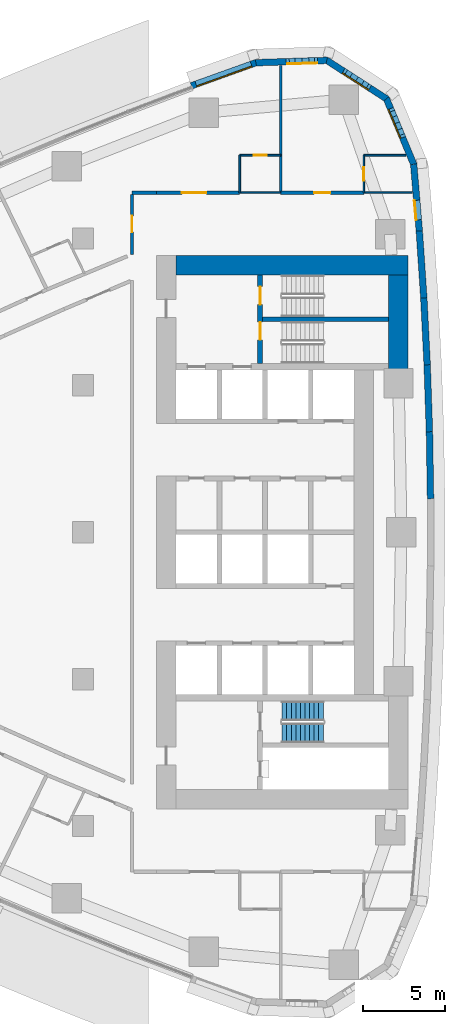
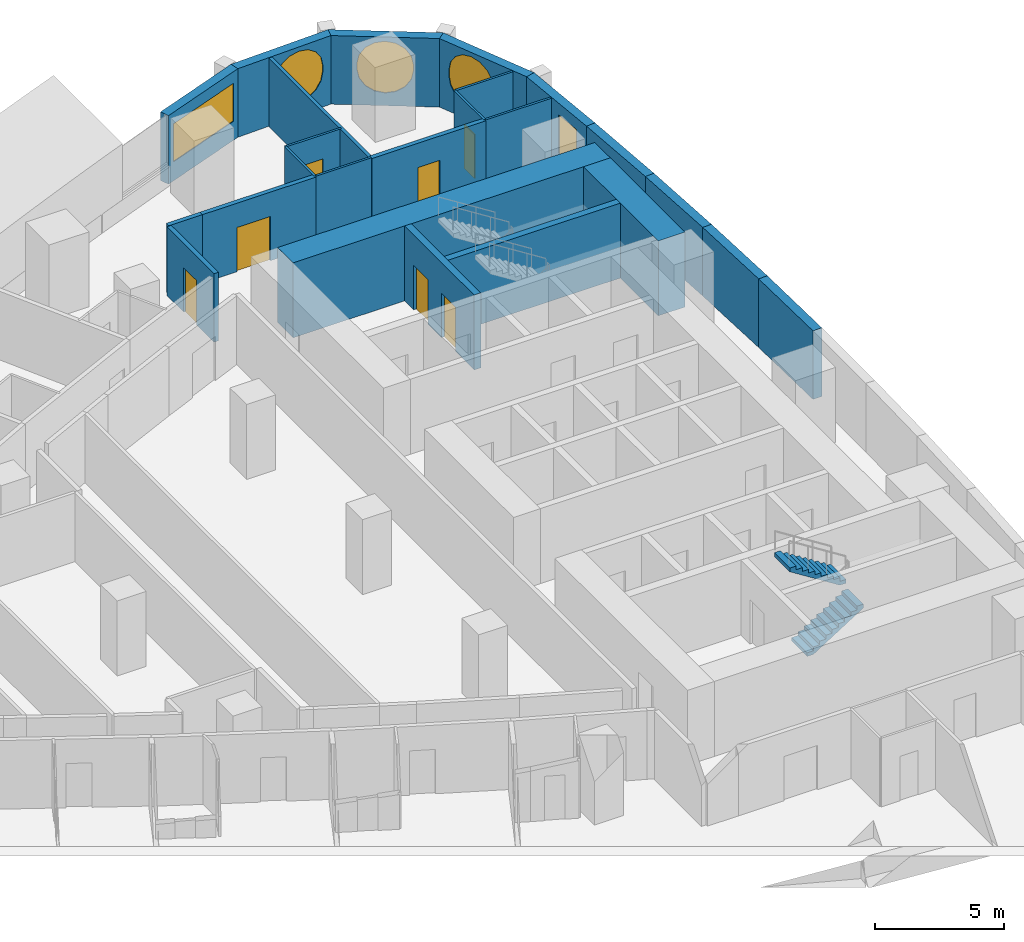
# One storey, part 13 of 19: 24 walls, 7 doors, 5 windows, 2 stair flights, 12 openings, 1 element without a shape of its own.
"""IFC4 building model written with IfcOpenShell, lengths in metres."""

from ifc_helpers import new_model, si_unit, direction, frame, frame_2d, origin, place, context, subcontext, project, spatial, polyline, rectangle, outline, extrude, material, layer, layer_set, type_object, element, fill, aggregate, save


model = new_model("IFC4")

# Units and contexts
model_context = context("Model", 3, precision=1e-05, world=origin(), true_north=direction((0.0, 1.0)))
body_context = subcontext(model_context, "Body", "Model", "MODEL_VIEW")
ifc_project = project(units=[si_unit("LENGTHUNIT", "METRE"), si_unit("AREAUNIT", "SQUARE_METRE"), si_unit("VOLUMEUNIT", "CUBIC_METRE"), si_unit("PLANEANGLEUNIT", "RADIAN"), si_unit("MASSUNIT", "GRAM", prefix="KILO")], contexts=[model_context])

# Site, building, storey
site_placement = place(None, origin())
site = spatial("IfcSite", under=ifc_project, at=site_placement, CompositionType="ELEMENT")
building_placement = place(site_placement, origin())
building = spatial("IfcBuilding", under=site, at=building_placement, Name="Ostrand Prow Hotel Tower", CompositionType="ELEMENT")
storey_placement = place(building_placement, frame((0.0, 0.0, 68.0)))
storey = spatial("IfcBuildingStorey", under=building, at=storey_placement, Name="L15", CompositionType="ELEMENT", Elevation=68.0)

# Walls
ifc_material_1 = material(Name="Concrete C80/95", Category="concrete")
ifc_layer_1 = layer(ifc_material_1, 1.199951171875)
ifc_layer_set_1 = layer_set([ifc_layer_1], Name="Concrete C80/95")
wall_type_1 = type_object("IfcWallType", Name="Core wall 1200 C80/95", PredefinedType="SHEAR", material=ifc_layer_set_1)
wall_1_placement = place(storey_placement, frame((50.699951171875, 16.35009765625, 0.0), z_axis=(0.0, 0.0, 1.0), x_axis=(1.0, 0.0, 0.0)))
element("IfcWall", 1, at=wall_1_placement, inside=storey, type_object=wall_type_1, Name="Core wall CW-N", PredefinedType="SHEAR", context=body_context, shape_type="SweptSolid", body=[
    extrude(rectangle(XDim=14.219970703125, YDim=1.199951171875, at=frame_2d((7.10986328125, 0.0))), origin(), (0.0, 0.0, 1.0), 3.550048828125),
])
wall_2_placement = place(storey_placement, frame((64.320068359375, 9.949951171875, 0.0), z_axis=(0.0, 0.0, 1.0), x_axis=(0.0, 1.0, 0.0)))
element("IfcWall", 2, at=wall_2_placement, inside=storey, type_object=wall_type_1, Name="Core wall CW-E-N", PredefinedType="SHEAR", context=body_context, shape_type="SweptSolid", body=[
    extrude(rectangle(XDim=5.800048828125, YDim=1.199951171875, at=frame_2d((2.89990234375, 0.0))), origin(), (0.0, 0.0, 1.0), 3.550048828125),
])

# Wall, openings, doors
ifc_material_2 = material(Name="Concrete C80/95", Category="concrete")
ifc_layer_2 = layer(ifc_material_2, 0.300048828125)
ifc_layer_set_2 = layer_set([ifc_layer_2], Name="Concrete C80/95")
wall_type_2 = type_object("IfcWallType", Name="Core wall 300 C80/95", PredefinedType="SHEAR", material=ifc_layer_set_2)
wall_3_placement = place(storey_placement, frame((55.85009765625, 10.35009765625, 0.0), z_axis=(0.0, 0.0, 1.0), x_axis=(0.0, 1.0, 0.0)))
wall_3 = element("IfcWall", 3, at=wall_3_placement, inside=storey, type_object=wall_type_2, Name="Core wall PW-VN", PredefinedType="SHEAR", context=body_context, shape_type="SweptSolid", body=[
    extrude(rectangle(XDim=5.39990234375, YDim=0.300048828125, at=frame_2d((2.699951171875, 0.0))), origin(), (0.0, 0.0, 1.0), 3.550048828125),
])
opening_1_placement = place(wall_3_placement, frame((1.429931640625, 0.0, 0.0)))
opening_1 = element("IfcOpeningElement", 4, at=opening_1_placement, cuts=wall_3, Name="Opening FD1", PredefinedType="OPENING", context=body_context, shape_type="SweptSolid", body=[
    extrude(rectangle(XDim=1.10009765625, YDim=2.10009765625, at=frame_2d((0.550048828125, 1.050048828125))), frame((0.0, 0.159912109375, 0.0), z_axis=(0.0, -1.0, 0.0), x_axis=(1.0, 0.0, 0.0)), (0.0, 0.0, 1.0), 0.320068359375),
])
opening_2_placement = place(wall_3_placement, frame((3.60009765625, 0.0, 0.0)))
opening_2 = element("IfcOpeningElement", 5, at=opening_2_placement, cuts=wall_3, Name="Opening FD1", PredefinedType="OPENING", context=body_context, shape_type="SweptSolid", body=[
    extrude(rectangle(XDim=1.10009765625, YDim=2.10009765625, at=frame_2d((0.550048828125, 1.050048828125))), frame((0.0, 0.159912109375, 0.0), z_axis=(0.0, -1.0, 0.0), x_axis=(1.0, 0.0, 0.0)), (0.0, 0.0, 1.0), 0.320068359375),
])
ifc_material_3 = material(Name="Steel fire door", Category="steel")
door_type_1 = type_object("IfcDoorType", Name="Fire door 1100 EI120", OperationType="SINGLE_SWING_RIGHT", PredefinedType="DOOR", material=ifc_material_3)
door_1_placement = place(opening_1_placement, origin())
door_1 = element("IfcDoor", 6, at=door_1_placement, inside=storey, type_object=door_type_1, Name="FIRE DOOR", OperationType="SINGLE_SWING_RIGHT", OverallHeight=2.10009765625, OverallWidth=1.10009765625, PredefinedType="DOOR", context=body_context, shape_type="SweptSolid", body=[
    extrude(rectangle(XDim=1.10009765625, YDim=2.10009765625, at=frame_2d((0.550048828125, 1.050048828125))), frame((0.0, 0.02490234375, 0.0), z_axis=(0.0, -1.0, 0.0), x_axis=(1.0, 0.0, 0.0)), (0.0, 0.0, 1.0), 0.050048828125),
])
fill(opening_1, door_1)
door_2_placement = place(opening_2_placement, origin())
door_2 = element("IfcDoor", 7, at=door_2_placement, inside=storey, type_object=door_type_1, Name="FIRE DOOR", OperationType="SINGLE_SWING_RIGHT", OverallHeight=2.10009765625, OverallWidth=1.10009765625, PredefinedType="DOOR", context=body_context, shape_type="SweptSolid", body=[
    extrude(rectangle(XDim=1.10009765625, YDim=2.10009765625, at=frame_2d((0.550048828125, 1.050048828125))), frame((0.0, 0.02490234375, 0.0), z_axis=(0.0, -1.0, 0.0), x_axis=(1.0, 0.0, 0.0)), (0.0, 0.0, 1.0), 0.050048828125),
])
fill(opening_2, door_2)

# Walls
wall_4_placement = place(storey_placement, frame((56.0, 13.050048828125, 0.0), z_axis=(0.0, 0.0, 1.0), x_axis=(1.0, 0.0, 0.0)))
element("IfcWall", 8, at=wall_4_placement, inside=storey, type_object=wall_type_2, Name="Core wall PW-ST13", PredefinedType="SHEAR", context=body_context, shape_type="SweptSolid", body=[
    extrude(rectangle(XDim=7.719970703125, YDim=0.300048828125, at=frame_2d((3.85986328125, 0.0))), origin(), (0.0, 0.0, 1.0), 3.550048828125),
])
ifc_material_4 = material(Name="Plasterboard partition")
ifc_layer_3 = layer(ifc_material_4, 0.10009765625)
ifc_layer_set_3 = layer_set([ifc_layer_3], Name="Plasterboard partition")
wall_type_3 = type_object("IfcWallType", Name="Partition 100 bathroom wall", PredefinedType="PARTITIONING", material=ifc_layer_set_3)
wall_5_placement = place(storey_placement, frame((54.601806640625, 20.800048828125, 0.0), z_axis=(0.0, 0.0, 1.0), x_axis=(0.0, 1.0, 0.0)))
element("IfcWall", 9, at=wall_5_placement, inside=storey, type_object=wall_type_3, Name="BATHROOM WALL", PredefinedType="PARTITIONING", context=body_context, shape_type="SweptSolid", body=[
    extrude(rectangle(XDim=2.300048828125, YDim=0.10009765625, at=frame_2d((1.14990234375, 0.0))), origin(), (0.0, 0.0, 1.0), 3.25),
])

# Wall, opening, door
wall_6_placement = place(storey_placement, frame((54.601806640625, 23.10009765625, 0.0), z_axis=(0.0, 0.0, 1.0), x_axis=(1.0, 0.0, 0.0)))
wall_6 = element("IfcWall", 10, at=wall_6_placement, inside=storey, type_object=wall_type_3, Name="BATHROOM WALL", PredefinedType="PARTITIONING", context=body_context, shape_type="SweptSolid", body=[
    extrude(rectangle(XDim=2.5, YDim=0.10009765625, at=frame_2d((1.25, 0.0))), origin(), (0.0, 0.0, 1.0), 3.25),
])
opening_3_placement = place(wall_6_placement, frame((0.85009765625, 0.0, 0.0)))
opening_3 = element("IfcOpeningElement", 11, at=opening_3_placement, cuts=wall_6, Name="Opening D2", PredefinedType="OPENING", context=body_context, shape_type="SweptSolid", body=[
    extrude(rectangle(XDim=0.800048828125, YDim=2.10009765625, at=frame_2d((0.39990234375, 1.050048828125))), frame((0.0, 0.06005859375, 0.0), z_axis=(0.0, -1.0, 0.0), x_axis=(1.0, 0.0, 0.0)), (0.0, 0.0, 1.0), 0.1201171875),
])
ifc_material_5 = material(Name="Timber door leaf", Category="wood")
door_type_2 = type_object("IfcDoorType", Name="Bathroom door 800", OperationType="SINGLE_SWING_LEFT", PredefinedType="DOOR", material=ifc_material_5)
door_3_placement = place(opening_3_placement, origin())
door_3 = element("IfcDoor", 12, at=door_3_placement, inside=storey, type_object=door_type_2, Name="DOOR", OperationType="SINGLE_SWING_LEFT", OverallHeight=2.10009765625, OverallWidth=0.800048828125, PredefinedType="DOOR", context=body_context, shape_type="SweptSolid", body=[
    extrude(rectangle(XDim=0.800048828125, YDim=2.10009765625, at=frame_2d((0.39990234375, 1.050048828125))), frame((0.0, 0.02490234375, 0.0), z_axis=(0.0, -1.0, 0.0), x_axis=(1.0, 0.0, 0.0)), (0.0, 0.0, 1.0), 0.050048828125),
])
fill(opening_3, door_3)

wall_7_placement = place(storey_placement, frame((62.203369140625, 20.800048828125, 0.0), z_axis=(0.0, 0.0, 1.0), x_axis=(0.0, 1.0, 0.0)))
wall_7 = element("IfcWall", 13, at=wall_7_placement, inside=storey, type_object=wall_type_3, Name="BATHROOM WALL", PredefinedType="PARTITIONING", context=body_context, shape_type="SweptSolid", body=[
    extrude(rectangle(XDim=2.300048828125, YDim=0.10009765625, at=frame_2d((1.14990234375, 0.0))), origin(), (0.0, 0.0, 1.0), 3.25),
])
opening_4_placement = place(wall_7_placement, frame((0.75, 0.0, 0.0)))
opening_4 = element("IfcOpeningElement", 14, at=opening_4_placement, cuts=wall_7, Name="Opening D2", PredefinedType="OPENING", context=body_context, shape_type="SweptSolid", body=[
    extrude(rectangle(XDim=0.800048828125, YDim=2.10009765625, at=frame_2d((0.39990234375, 1.050048828125))), frame((0.0, 0.06005859375, 0.0), z_axis=(0.0, -1.0, 0.0), x_axis=(1.0, 0.0, 0.0)), (0.0, 0.0, 1.0), 0.1201171875),
])
door_4_placement = place(opening_4_placement, origin())
door_4 = element("IfcDoor", 15, at=door_4_placement, inside=storey, type_object=door_type_2, Name="DOOR", OperationType="SINGLE_SWING_LEFT", OverallHeight=2.10009765625, OverallWidth=0.800048828125, PredefinedType="DOOR", context=body_context, shape_type="SweptSolid", body=[
    extrude(rectangle(XDim=0.800048828125, YDim=2.10009765625, at=frame_2d((0.39990234375, 1.050048828125))), frame((0.0, 0.02490234375, 0.0), z_axis=(0.0, -1.0, 0.0), x_axis=(1.0, 0.0, 0.0)), (0.0, 0.0, 1.0), 0.050048828125),
])
fill(opening_4, door_4)

# Walls
wall_8_placement = place(storey_placement, frame((62.203369140625, 23.10009765625, 0.0), z_axis=(0.0, 0.0, 1.0), x_axis=(1.0, 0.0, 0.0)))
element("IfcWall", 16, at=wall_8_placement, inside=storey, type_object=wall_type_3, Name="BATHROOM WALL", PredefinedType="PARTITIONING", context=body_context, shape_type="SweptSolid", body=[
    extrude(rectangle(XDim=2.578125, YDim=0.10009765625, at=frame_2d((1.2890625, 0.0))), origin(), (0.0, 0.0, 1.0), 3.25),
])
wall_9_placement = place(storey_placement, frame((57.101806640625, 20.804931640625, 0.0), z_axis=(0.0, 0.0, 1.0), x_axis=(-1.0, 0.0, 0.0)))
element("IfcWall", 17, at=wall_9_placement, inside=storey, type_object=wall_type_3, Name="BATHROOM WALL", PredefinedType="PARTITIONING", context=body_context, shape_type="SweptSolid", body=[
    extrude(rectangle(XDim=2.5, YDim=0.10009765625, at=frame_2d((1.25, 0.0))), origin(), (0.0, 0.0, 1.0), 3.25),
])
wall_10_placement = place(storey_placement, frame((65.174560546875, 20.804931640625, 0.0), z_axis=(0.0, 0.0, 1.0), x_axis=(-1.0, 0.0, 0.0)))
element("IfcWall", 18, at=wall_10_placement, inside=storey, type_object=wall_type_3, Name="BATHROOM WALL", PredefinedType="PARTITIONING", context=body_context, shape_type="SweptSolid", body=[
    extrude(rectangle(XDim=2.97119140625, YDim=0.10009765625, at=frame_2d((1.485595703125, 0.0))), origin(), (0.0, 0.0, 1.0), 3.25),
])
ifc_material_6 = material(Name="Plasterboard partition")
ifc_layer_4 = layer(ifc_material_6, 0.14990234375)
ifc_layer_set_4 = layer_set([ifc_layer_4], Name="Plasterboard partition")
wall_type_4 = type_object("IfcWallType", Name="Partition 150 room partition", PredefinedType="PARTITIONING", material=ifc_layer_set_4)
wall_11_placement = place(storey_placement, frame((57.101806640625, 20.800048828125, 0.0), z_axis=(0.0, 0.0, 1.0), x_axis=(0.0, 1.0, 0.0)))
element("IfcWall", 19, at=wall_11_placement, inside=storey, type_object=wall_type_4, Name="ROOM PARTITION", PredefinedType="PARTITIONING", context=body_context, shape_type="SweptSolid", body=[
    extrude(rectangle(XDim=7.786865234375, YDim=0.14990234375, at=frame_2d((3.8935546875, 0.0))), origin(), (0.0, 0.0, 1.0), 3.25),
])

# Wall, opening, door
ifc_material_7 = material(Name="Plasterboard partition")
ifc_layer_5 = layer(ifc_material_7, 0.199951171875)
ifc_layer_set_5 = layer_set([ifc_layer_5], Name="Plasterboard partition")
wall_type_5 = type_object("IfcWallType", Name="Partition 200 corridor wall", PredefinedType="PARTITIONING", material=ifc_layer_set_5)
wall_12_placement = place(storey_placement, frame((54.5966796875, 20.804931640625, 0.0), z_axis=(0.0, 0.0, 1.0), x_axis=(-1.0, 0.0, 0.0)))
wall_12 = element("IfcWall", 20, at=wall_12_placement, inside=storey, type_object=wall_type_5, Name="CORRIDOR WALL", PredefinedType="PARTITIONING", context=body_context, shape_type="SweptSolid", body=[
    extrude(rectangle(XDim=5.0966796875, YDim=0.199951171875, at=frame_2d((2.54833984375, 0.0))), origin(), (0.0, 0.0, 1.0), 3.25),
])
opening_5_placement = place(wall_12_placement, frame((2.04833984375, 0.0, 0.0)))
opening_5 = element("IfcOpeningElement", 21, at=opening_5_placement, cuts=wall_12, Name="Opening D15", PredefinedType="OPENING", context=body_context, shape_type="SweptSolid", body=[
    extrude(rectangle(XDim=1.5, YDim=2.10009765625, at=frame_2d((0.75, 1.050048828125))), frame((0.0, 0.10986328125, 0.0), z_axis=(0.0, -1.0, 0.0), x_axis=(1.0, 0.0, 0.0)), (0.0, 0.0, 1.0), 0.219970703125),
])
ifc_material_8 = material(Name="Timber door leaf", Category="wood")
door_type_3 = type_object("IfcDoorType", Name="Double door 1500", OperationType="DOUBLE_DOOR_SINGLE_SWING", PredefinedType="DOOR", material=ifc_material_8)
door_5_placement = place(opening_5_placement, origin())
door_5 = element("IfcDoor", 22, at=door_5_placement, inside=storey, type_object=door_type_3, Name="DOOR", OperationType="DOUBLE_DOOR_SINGLE_SWING", OverallHeight=2.10009765625, OverallWidth=1.5, PredefinedType="DOOR", context=body_context, shape_type="SweptSolid", body=[
    extrude(rectangle(XDim=1.5, YDim=2.10009765625, at=frame_2d((0.75, 1.050048828125))), frame((0.0, 0.02490234375, 0.0), z_axis=(0.0, -1.0, 0.0), x_axis=(1.0, 0.0, 0.0)), (0.0, 0.0, 1.0), 0.050048828125),
])
fill(opening_5, door_5)

wall_13_placement = place(storey_placement, frame((62.1982421875, 20.804931640625, 0.0), z_axis=(0.0, 0.0, 1.0), x_axis=(-1.0, 0.0, 0.0)))
wall_13 = element("IfcWall", 23, at=wall_13_placement, inside=storey, type_object=wall_type_5, Name="CORRIDOR WALL", PredefinedType="PARTITIONING", context=body_context, shape_type="SweptSolid", body=[
    extrude(rectangle(XDim=5.091552734375, YDim=0.199951171875, at=frame_2d((2.5458984375, 0.0))), origin(), (0.0, 0.0, 1.0), 3.25),
])
opening_6_placement = place(wall_13_placement, frame((2.0458984375, 0.0, 0.0)))
opening_6 = element("IfcOpeningElement", 24, at=opening_6_placement, cuts=wall_13, Name="Opening D1", PredefinedType="OPENING", context=body_context, shape_type="SweptSolid", body=[
    extrude(rectangle(XDim=1.0, YDim=2.10009765625, at=frame_2d((0.5, 1.050048828125))), frame((0.0, 0.10986328125, 0.0), z_axis=(0.0, -1.0, 0.0), x_axis=(1.0, 0.0, 0.0)), (0.0, 0.0, 1.0), 0.219970703125),
])
ifc_material_9 = material(Name="Timber door leaf", Category="wood")
door_type_4 = type_object("IfcDoorType", Name="Guest room door 1000", OperationType="SINGLE_SWING_LEFT", PredefinedType="DOOR", material=ifc_material_9)
door_6_placement = place(opening_6_placement, origin())
door_6 = element("IfcDoor", 25, at=door_6_placement, inside=storey, type_object=door_type_4, Name="DOOR", OperationType="SINGLE_SWING_LEFT", OverallHeight=2.10009765625, OverallWidth=1.0, PredefinedType="DOOR", context=body_context, shape_type="SweptSolid", body=[
    extrude(rectangle(XDim=1.0, YDim=2.10009765625, at=frame_2d((0.5, 1.050048828125))), frame((0.0, 0.02490234375, 0.0), z_axis=(0.0, -1.0, 0.0), x_axis=(1.0, 0.0, 0.0)), (0.0, 0.0, 1.0), 0.050048828125),
])
fill(opening_6, door_6)

# Wall
wall_14_placement = place(storey_placement, frame((49.5, 20.804931640625, 0.0), z_axis=(0.0, 0.0, 1.0), x_axis=(-0.999998104399, -0.001947099992, 0.0)))
element("IfcWall", 26, at=wall_14_placement, inside=storey, type_object=wall_type_5, Name="CORRIDOR WALL", PredefinedType="PARTITIONING", context=body_context, shape_type="SweptSolid", body=[
    extrude(rectangle(XDim=1.504638671875, YDim=0.199951171875, at=frame_2d((0.75244140625, 0.0))), origin(), (0.0, 0.0, 1.0), 3.25),
])

# Wall, opening, door
wall_15_placement = place(storey_placement, frame((47.99560546875, 20.681884765625, 0.0), z_axis=(0.0, 0.0, 1.0), x_axis=(0.000866955326, -0.999999624194, 0.0)))
wall_15 = element("IfcWall", 27, at=wall_15_placement, inside=storey, type_object=wall_type_5, Name="CORRIDOR WALL", PredefinedType="PARTITIONING", context=body_context, shape_type="SweptSolid", body=[
    extrude(rectangle(XDim=3.660888671875, YDim=0.199951171875, at=frame_2d((1.83056640625, 0.0))), origin(), (0.0, 0.0, 1.0), 3.25),
])
opening_7_placement = place(wall_15_placement, frame((1.300048828125, 0.0, 0.0)))
opening_7 = element("IfcOpeningElement", 28, at=opening_7_placement, cuts=wall_15, Name="Opening D1R", PredefinedType="OPENING", context=body_context, shape_type="SweptSolid", body=[
    extrude(rectangle(XDim=1.0, YDim=2.10009765625, at=frame_2d((0.5, 1.050048828125))), frame((0.0, 0.10986328125, 0.0), z_axis=(0.0, -1.0, 0.0), x_axis=(1.0, 0.0, 0.0)), (0.0, 0.0, 1.0), 0.219970703125),
])
ifc_material_10 = material(Name="Timber door leaf", Category="wood")
door_type_5 = type_object("IfcDoorType", Name="Guest room door 1000 right", OperationType="SINGLE_SWING_RIGHT", PredefinedType="DOOR", material=ifc_material_10)
door_7_placement = place(opening_7_placement, origin())
door_7 = element("IfcDoor", 29, at=door_7_placement, inside=storey, type_object=door_type_5, Name="DOOR", OperationType="SINGLE_SWING_RIGHT", OverallHeight=2.10009765625, OverallWidth=1.0, PredefinedType="DOOR", context=body_context, shape_type="SweptSolid", body=[
    extrude(rectangle(XDim=1.0, YDim=2.10009765625, at=frame_2d((0.5, 1.050048828125))), frame((0.0, 0.02490234375, 0.0), z_axis=(0.0, -1.0, 0.0), x_axis=(1.0, 0.0, 0.0)), (0.0, 0.0, 1.0), 0.050048828125),
])
fill(opening_7, door_7)

# Walls
ifc_material_11 = material(Name="Precast concrete C40/50", Category="concrete")
ifc_layer_6 = layer(ifc_material_11, 0.39990234375)
ifc_layer_set_6 = layer_set([ifc_layer_6], Name="Precast concrete C40/50")
wall_type_6 = type_object("IfcWallType", Name="Stone-faced precast wall 400 mm", PredefinedType="NOTDEFINED", material=ifc_layer_set_6)
for number, where, z_axis, x_axis, name in (
    (30, (66.29150390625, 2.052490234375, 0.0), (0.0, 0.0, 1.0), (-0.016830829972, 0.999858351549, 0.0), "Stone-faced wall back 11"),
    (31, (66.222412109375, 6.156982421875, 0.0), (0.0, 0.0, 1.0), (-0.033542554696, 0.999437290191, 0.0), "Stone-faced wall back 12"),
    (32, (66.084716796875, 10.259765625, 0.0), (0.0, 0.0, 1.0), (-0.050314326423, 0.998733432181, 0.0), "Stone-faced wall back 13"),
    (33, (65.878173828125, 14.359619140625, 0.0), (0.0, 0.0, 1.0), (-0.067087430225, 0.997747100575, 0.0), "Stone-faced wall back 14"),
):
    element("IfcWall", number, at=place(storey_placement, frame(where, z_axis=z_axis, x_axis=x_axis)), inside=storey, type_object=wall_type_6, Name=name, PredefinedType="NOTDEFINED", context=body_context, shape_type="SweptSolid", body=[
        extrude(outline(polyline([(-0.001708984375, -0.199951171875), (4.106689453125, -0.199951171875), (4.103271484375, 0.199951171875), (0.001708984375, 0.199951171875), (-0.001708984375, -0.199951171875)])), origin(), (0.0, 0.0, 1.0), 3.25),
    ])

# Wall, opening, window
wall_16_placement = place(storey_placement, frame((65.602783203125, 18.455322265625, 0.0), z_axis=(0.0, 0.0, 1.0), x_axis=(-0.083793550906, 0.996483136248, 0.0)))
wall_16 = element("IfcWall", 34, at=wall_16_placement, inside=storey, type_object=wall_type_6, Name="Stone-faced wall back 15", PredefinedType="NOTDEFINED", context=body_context, shape_type="SweptSolid", body=[
    extrude(outline(polyline([(-0.001708984375, -0.199951171875), (4.136474609375, -0.199951171875), (4.073974609375, 0.199951171875), (0.001708984375, 0.199951171875), (-0.001708984375, -0.199951171875)])), origin(), (0.0, 0.0, 1.0), 3.25),
])
opening_8_placement = place(wall_16_placement, frame((0.6884765625, 0.0, 0.89990234375)))
opening_8 = element("IfcOpeningElement", 35, at=opening_8_placement, cuts=wall_16, Name="Opening WS4", PredefinedType="OPENING", context=body_context, shape_type="SweptSolid", body=[
    extrude(rectangle(XDim=1.199951171875, YDim=1.800048828125, at=frame_2d((0.60009765625, 0.89990234375))), frame((0.0, 0.2099609375, 0.0), z_axis=(0.0, -1.0, 0.0), x_axis=(1.0, 0.0, 0.0)), (0.0, 0.0, 1.0), 0.419921875),
])
ifc_material_12 = material(Name="Insulated glass in bronze frame", Category="glass")
window_type_1 = type_object("IfcWindowType", Name="Operable strip panel 1200x1800", PartitioningType="SINGLE_PANEL", PredefinedType="WINDOW", material=ifc_material_12)
window_1_placement = place(opening_8_placement, origin())
window_1 = element("IfcWindow", 36, at=window_1_placement, inside=storey, type_object=window_type_1, Name="Window back 15.1", OverallHeight=1.800048828125, OverallWidth=1.199951171875, PartitioningType="SINGLE_PANEL", PredefinedType="WINDOW", context=body_context, shape_type="SweptSolid", body=[
    extrude(rectangle(XDim=1.199951171875, YDim=1.800048828125, at=frame_2d((0.60009765625, 0.89990234375))), frame((0.0, 0.169921875, 0.0), z_axis=(0.0, -1.0, 0.0), x_axis=(1.0, 0.0, 0.0)), (0.0, 0.0, 1.0), 0.06005859375),
])
fill(opening_8, window_1)

wall_17_placement = place(storey_placement, frame((65.2587890625, 22.546142578125, 0.0), z_axis=(0.0, 0.0, 1.0), x_axis=(-0.384372042685, 0.923178277908, 0.0)))
wall_17 = element("IfcWall", 37, at=wall_17_placement, inside=storey, type_object=wall_type_6, Name="Stone-faced wall back 16", PredefinedType="NOTDEFINED", context=body_context, shape_type="SweptSolid", body=[
    extrude(outline(polyline([(-0.03125, -0.199951171875), (4.408203125, -0.199951171875), (4.283203125, 0.199951171875), (0.03125, 0.199951171875), (-0.03125, -0.199951171875)])), origin(), (0.0, 0.0, 1.0), 3.25),
])
opening_9_placement = place(wall_17_placement, frame((1.630615234375, 0.0, 0.60009765625)))
opening_9 = element("IfcOpeningElement", 38, at=opening_9_placement, cuts=wall_17, Name="Opening WP1", PredefinedType="OPENING", context=body_context, shape_type="SweptSolid", body=[
    extrude(outline(polyline([(0.0, 1.35009765625), (0.083740234375, 1.77099609375), (0.322265625, 2.127685546875), (0.678955078125, 2.3662109375), (1.10009765625, 2.449951171875), (1.52099609375, 2.3662109375), (1.877685546875, 2.127685546875), (2.1162109375, 1.77099609375), (2.199951171875, 1.35009765625), (2.199951171875, 1.10009765625), (2.1162109375, 0.678955078125), (1.877685546875, 0.322265625), (1.52099609375, 0.083740234375), (1.10009765625, 0.0), (0.678955078125, 0.083740234375), (0.322265625, 0.322265625), (0.083740234375, 0.678955078125), (0.0, 1.099853515625), (0.0, 1.35009765625)])), frame((0.0, 0.2099609375, 0.0), z_axis=(0.0, -1.0, 0.0), x_axis=(1.0, 0.0, 0.0)), (0.0, 0.0, 1.0), 0.419921875),
])
ifc_material_13 = material(Name="Insulated glass in bronze frame", Category="glass")
window_type_2 = type_object("IfcWindowType", Name="Round-ended prow window 2200x2450", PartitioningType="SINGLE_PANEL", PredefinedType="WINDOW", material=ifc_material_13)
window_2_placement = place(opening_9_placement, origin())
window_2 = element("IfcWindow", 39, at=window_2_placement, inside=storey, type_object=window_type_2, Name="Window back 16.1", OverallHeight=2.449951171875, OverallWidth=2.199951171875, PartitioningType="SINGLE_PANEL", PredefinedType="WINDOW", context=body_context, shape_type="SweptSolid", body=[
    extrude(outline(polyline([(0.0, 1.35009765625), (0.083740234375, 1.77099609375), (0.322265625, 2.127685546875), (0.678955078125, 2.3662109375), (1.10009765625, 2.449951171875), (1.52099609375, 2.3662109375), (1.877685546875, 2.127685546875), (2.1162109375, 1.77099609375), (2.199951171875, 1.35009765625), (2.199951171875, 1.10009765625), (2.1162109375, 0.678955078125), (1.877685546875, 0.322265625), (1.52099609375, 0.083740234375), (1.10009765625, 0.0), (0.678955078125, 0.083740234375), (0.322265625, 0.322265625), (0.083740234375, 0.678955078125), (0.0, 1.099853515625), (0.0, 1.35009765625)])), frame((0.0, 0.169921875, 0.0), z_axis=(0.0, -1.0, 0.0), x_axis=(1.0, 0.0, 0.0)), (0.0, 0.0, 1.0), 0.06005859375),
])
fill(opening_9, window_2)

wall_18_placement = place(storey_placement, frame((63.58837890625, 26.55810546875, 0.0), z_axis=(0.0, 0.0, 1.0), x_axis=(-0.840937468718, 0.541132307025, 0.0)))
wall_18 = element("IfcWall", 40, at=wall_18_placement, inside=storey, type_object=wall_type_6, Name="Stone-faced wall back 17", PredefinedType="NOTDEFINED", context=body_context, shape_type="SweptSolid", body=[
    extrude(outline(polyline([(-0.0625, -0.199951171875), (4.40869140625, -0.199951171875), (4.28369140625, 0.199951171875), (0.0625, 0.199951171875), (-0.0625, -0.199951171875)])), origin(), (0.0, 0.0, 1.0), 3.25),
])
opening_10_placement = place(wall_18_placement, frame((1.072998046875, 0.0, 0.60009765625)))
opening_10 = element("IfcOpeningElement", 41, at=opening_10_placement, cuts=wall_18, Name="Opening WP1", PredefinedType="OPENING", context=body_context, shape_type="SweptSolid", body=[
    extrude(outline(polyline([(0.0, 1.35009765625), (0.083740234375, 1.77099609375), (0.322265625, 2.127685546875), (0.678955078125, 2.3662109375), (1.10009765625, 2.449951171875), (1.52099609375, 2.3662109375), (1.877685546875, 2.127685546875), (2.1162109375, 1.77099609375), (2.199951171875, 1.35009765625), (2.199951171875, 1.10009765625), (2.1162109375, 0.678955078125), (1.877685546875, 0.322265625), (1.52099609375, 0.083740234375), (1.10009765625, 0.0), (0.678955078125, 0.083740234375), (0.322265625, 0.322265625), (0.083740234375, 0.678955078125), (0.0, 1.099853515625), (0.0, 1.35009765625)])), frame((0.0, 0.2099609375, 0.0), z_axis=(0.0, -1.0, 0.0), x_axis=(1.0, 0.0, 0.0)), (0.0, 0.0, 1.0), 0.419921875),
])
window_3_placement = place(opening_10_placement, origin())
window_3 = element("IfcWindow", 42, at=window_3_placement, inside=storey, type_object=window_type_2, Name="Window back 17.1", OverallHeight=2.449951171875, OverallWidth=2.199951171875, PartitioningType="SINGLE_PANEL", PredefinedType="WINDOW", context=body_context, shape_type="SweptSolid", body=[
    extrude(outline(polyline([(0.0, 1.35009765625), (0.083740234375, 1.77099609375), (0.322265625, 2.127685546875), (0.678955078125, 2.3662109375), (1.10009765625, 2.449951171875), (1.52099609375, 2.3662109375), (1.877685546875, 2.127685546875), (2.1162109375, 1.77099609375), (2.199951171875, 1.35009765625), (2.199951171875, 1.10009765625), (2.1162109375, 0.678955078125), (1.877685546875, 0.322265625), (1.52099609375, 0.083740234375), (1.10009765625, 0.0), (0.678955078125, 0.083740234375), (0.322265625, 0.322265625), (0.083740234375, 0.678955078125), (0.0, 1.099853515625), (0.0, 1.35009765625)])), frame((0.0, 0.169921875, 0.0), z_axis=(0.0, -1.0, 0.0), x_axis=(1.0, 0.0, 0.0)), (0.0, 0.0, 1.0), 0.06005859375),
])
fill(opening_10, window_3)

wall_19_placement = place(storey_placement, frame((59.93359375, 28.909912109375, 0.0), z_axis=(0.0, 0.0, 1.0), x_axis=(-0.999463576228, -0.032749958686, 0.0)))
wall_19 = element("IfcWall", 43, at=wall_19_placement, inside=storey, type_object=wall_type_6, Name="Stone-faced wall back 18", PredefinedType="NOTDEFINED", context=body_context, shape_type="SweptSolid", body=[
    extrude(outline(polyline([(-0.0625, -0.199951171875), (4.377685546875, -0.199951171875), (4.314697265625, 0.199951171875), (0.0625, 0.199951171875), (-0.0625, -0.199951171875)])), origin(), (0.0, 0.0, 1.0), 3.25),
])
opening_11_placement = place(wall_19_placement, frame((0.421875, 0.0, 0.60009765625)))
opening_11 = element("IfcOpeningElement", 44, at=opening_11_placement, cuts=wall_19, Name="Opening WP1", PredefinedType="OPENING", context=body_context, shape_type="SweptSolid", body=[
    extrude(outline(polyline([(0.0, 1.35009765625), (0.083740234375, 1.77099609375), (0.322265625, 2.127685546875), (0.678955078125, 2.3662109375), (1.10009765625, 2.449951171875), (1.52099609375, 2.3662109375), (1.877685546875, 2.127685546875), (2.1162109375, 1.77099609375), (2.199951171875, 1.35009765625), (2.199951171875, 1.10009765625), (2.1162109375, 0.678955078125), (1.877685546875, 0.322265625), (1.52099609375, 0.083740234375), (1.10009765625, 0.0), (0.678955078125, 0.083740234375), (0.322265625, 0.322265625), (0.083740234375, 0.678955078125), (0.0, 1.099853515625), (0.0, 1.35009765625)])), frame((0.0, 0.2099609375, 0.0), z_axis=(0.0, -1.0, 0.0), x_axis=(1.0, 0.0, 0.0)), (0.0, 0.0, 1.0), 0.419921875),
])
window_4_placement = place(opening_11_placement, origin())
window_4 = element("IfcWindow", 45, at=window_4_placement, inside=storey, type_object=window_type_2, Name="Window back 18.1", OverallHeight=2.449951171875, OverallWidth=2.199951171875, PartitioningType="SINGLE_PANEL", PredefinedType="WINDOW", context=body_context, shape_type="SweptSolid", body=[
    extrude(outline(polyline([(0.0, 1.35009765625), (0.083740234375, 1.77099609375), (0.322265625, 2.127685546875), (0.678955078125, 2.3662109375), (1.10009765625, 2.449951171875), (1.52099609375, 2.3662109375), (1.877685546875, 2.127685546875), (2.1162109375, 1.77099609375), (2.199951171875, 1.35009765625), (2.199951171875, 1.10009765625), (2.1162109375, 0.678955078125), (1.877685546875, 0.322265625), (1.52099609375, 0.083740234375), (1.10009765625, 0.0), (0.678955078125, 0.083740234375), (0.322265625, 0.322265625), (0.083740234375, 0.678955078125), (0.0, 1.099853515625), (0.0, 1.35009765625)])), frame((0.0, 0.169921875, 0.0), z_axis=(0.0, -1.0, 0.0), x_axis=(1.0, 0.0, 0.0)), (0.0, 0.0, 1.0), 0.06005859375),
])
fill(opening_11, window_4)

wall_20_placement = place(storey_placement, frame((55.58984375, 28.767578125, 0.0), z_axis=(0.0, 0.0, 1.0), x_axis=(-0.941339752885, -0.337460323057, 0.0)))
wall_20 = element("IfcWall", 46, at=wall_20_placement, inside=storey, type_object=wall_type_6, Name="Stone-faced wall back 19", PredefinedType="NOTDEFINED", context=body_context, shape_type="SweptSolid", body=[
    extrude(outline(polyline([(-0.031494140625, -0.199951171875), (4.196044921875, -0.199951171875), (4.196044921875, 0.199951171875), (0.031494140625, 0.199951171875), (-0.031494140625, -0.199951171875)])), origin(), (0.0, 0.0, 1.0), 3.25),
])
opening_12_placement = place(wall_20_placement, frame((0.298095703125, 0.0, 0.89990234375)))
opening_12 = element("IfcOpeningElement", 47, at=opening_12_placement, cuts=wall_20, Name="Opening WS3-36", PredefinedType="OPENING", context=body_context, shape_type="SweptSolid", body=[
    extrude(rectangle(XDim=3.60009765625, YDim=1.800048828125, at=frame_2d((1.800048828125, 0.89990234375))), frame((0.0, 0.2099609375, 0.0), z_axis=(0.0, -1.0, 0.0), x_axis=(1.0, 0.0, 0.0)), (0.0, 0.0, 1.0), 0.419921875),
])
ifc_material_14 = material(Name="Insulated glass in bronze frame", Category="glass")
window_type_3 = type_object("IfcWindowType", Name="Strip window 3600x1800", PartitioningType="SINGLE_PANEL", PredefinedType="WINDOW", material=ifc_material_14)
window_5_placement = place(opening_12_placement, origin())
window_5 = element("IfcWindow", 48, at=window_5_placement, inside=storey, type_object=window_type_3, Name="Window back 19.1", OverallHeight=1.800048828125, OverallWidth=3.60009765625, PartitioningType="SINGLE_PANEL", PredefinedType="WINDOW", context=body_context, shape_type="SweptSolid", body=[
    extrude(rectangle(XDim=3.60009765625, YDim=1.800048828125, at=frame_2d((1.800048828125, 0.89990234375))), frame((0.0, 0.169921875, 0.0), z_axis=(0.0, -1.0, 0.0), x_axis=(1.0, 0.0, 0.0)), (0.0, 0.0, 1.0), 0.06005859375),
])
fill(opening_12, window_5)

# Stair, stair flights
ifc_material_15 = material(Name="Concrete C40/50", Category="concrete")
stair_type = type_object("IfcStairType", Name="Exit stair 1200 upper zone", PredefinedType="HALF_TURN_STAIR", material=ifc_material_15)
stair_placement = place(storey_placement, origin())
stair = element("IfcStair", 49, at=stair_placement, inside=storey, type_object=stair_type, Name="L15 ST2C", PredefinedType="HALF_TURN_STAIR")
ifc_material_16 = material(Name="Concrete C40/50", Category="concrete")
stair_flight_type = type_object("IfcStairFlightType", Name="Stair flight 1200 concrete", PredefinedType="STRAIGHT", material=ifc_material_16)
stair_flight_1_placement = place(storey_placement, frame((57.199951171875, -12.300048828125, 0.0), z_axis=(0.0, 0.0, 1.0), x_axis=(1.0, 0.0, 0.0)))
stair_flight_1 = element("IfcStairFlight", 50, at=stair_flight_1_placement, type_object=stair_flight_type, Name="ST2C flight 1", NumberOfRisers=10, NumberOfTreads=9, PredefinedType="STRAIGHT", RiserHeight=0.1775, TreadLength=0.28, context=body_context, shape_type="SweptSolid", body=[
    extrude(outline(polyline([(0.0, 0.0), (0.0, 0.177490234375), (0.280029296875, 0.177490234375), (0.280029296875, 0.35498046875), (0.56005859375, 0.35498046875), (0.56005859375, 0.532470703125), (0.840087890625, 0.532470703125), (0.840087890625, 0.7099609375), (1.1201171875, 0.7099609375), (1.1201171875, 0.887451171875), (1.39990234375, 0.887451171875), (1.39990234375, 1.06494140625), (1.679931640625, 1.06494140625), (1.679931640625, 1.242431640625), (1.9599609375, 1.242431640625), (1.9599609375, 1.419921875), (2.239990234375, 1.419921875), (2.239990234375, 1.597412109375), (2.52001953125, 1.597412109375), (2.52001953125, 1.77490234375), (2.52001953125, 1.419921875), (0.280029296875, 0.0), (0.0, 0.0)])), frame((0.0, 0.60009765625, 0.0), z_axis=(0.0, -1.0, 0.0), x_axis=(1.0, 0.0, 0.0)), (0.0, 0.0, 1.0), 1.199951171875),
])
stair_flight_2_placement = place(storey_placement, frame((59.719970703125, -10.949951171875, 1.77490234375), z_axis=(0.0, 0.0, 1.0), x_axis=(-1.0, 0.0, 0.0)))
stair_flight_2 = element("IfcStairFlight", 51, at=stair_flight_2_placement, type_object=stair_flight_type, Name="ST2C flight 2", NumberOfRisers=10, NumberOfTreads=9, PredefinedType="STRAIGHT", RiserHeight=0.1775, TreadLength=0.28, context=body_context, shape_type="SweptSolid", body=[
    extrude(outline(polyline([(0.0, 0.0), (0.0, 0.177490234375), (0.280029296875, 0.177490234375), (0.280029296875, 0.35498046875), (0.56005859375, 0.35498046875), (0.56005859375, 0.532470703125), (0.840087890625, 0.532470703125), (0.840087890625, 0.7099609375), (1.1201171875, 0.7099609375), (1.1201171875, 0.887451171875), (1.39990234375, 0.887451171875), (1.39990234375, 1.06494140625), (1.679931640625, 1.06494140625), (1.679931640625, 1.242431640625), (1.9599609375, 1.242431640625), (1.9599609375, 1.419921875), (2.239990234375, 1.419921875), (2.239990234375, 1.597412109375), (2.52001953125, 1.597412109375), (2.52001953125, 1.77490234375), (2.52001953125, 1.419921875), (0.280029296875, 0.0), (0.0, 0.0)])), frame((0.0, 0.60009765625, 0.0), z_axis=(0.0, -1.0, 0.0), x_axis=(1.0, 0.0, 0.0)), (0.0, 0.0, 1.0), 1.199951171875),
])
aggregate(stair, [stair_flight_1, stair_flight_2])

save(model, "model.ifc")
